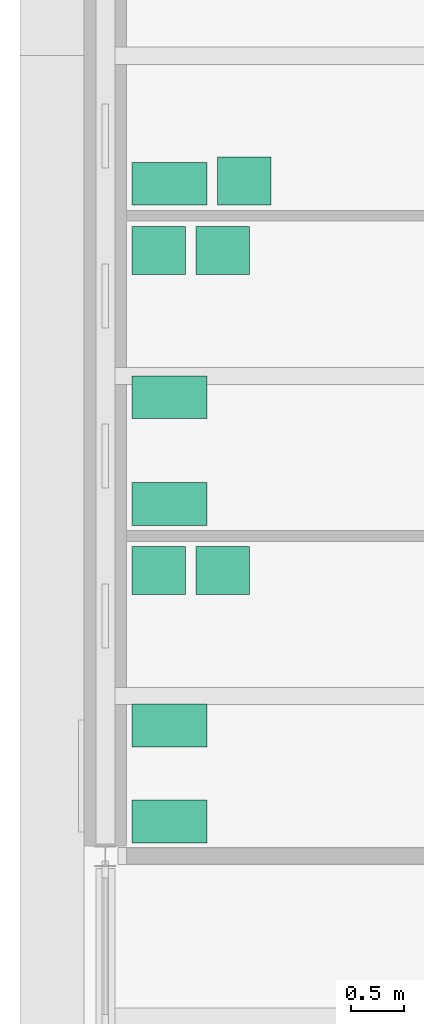
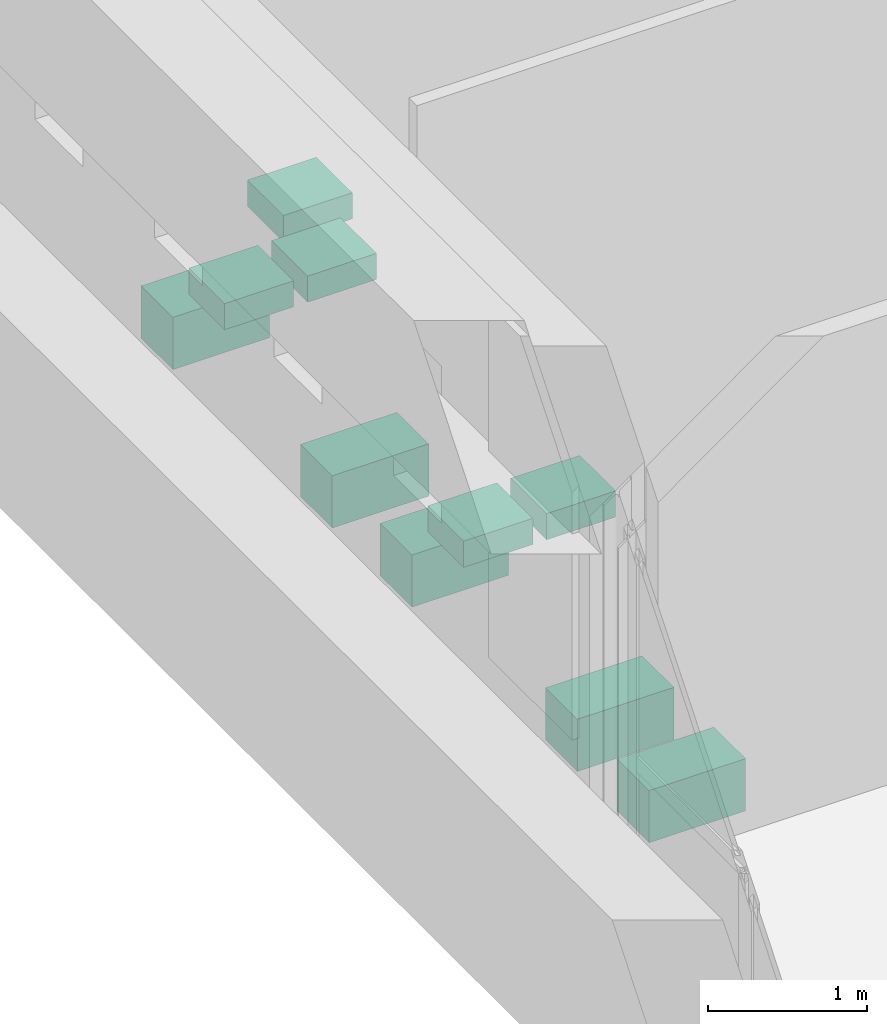
# One storey, part 42 of 42: 10 sanitary terminals.
"""IFC4 building model written with IfcOpenShell, lengths in metres."""

from ifc_helpers import new_model, si_unit, direction, frame, origin, origin_2d, place, context, subcontext, project, spatial, rectangle, extrude, material, type_object, element, save


model = new_model("IFC4")

# Units and contexts
model_context = context("Model", 3, precision=1e-05, world=origin(), true_north=direction((0.0, 1.0)))
body_context = subcontext(model_context, "Body", "Model", "MODEL_VIEW")
ifc_project = project(units=[si_unit("LENGTHUNIT", "METRE"), si_unit("AREAUNIT", "SQUARE_METRE"), si_unit("VOLUMEUNIT", "CUBIC_METRE"), si_unit("PLANEANGLEUNIT", "RADIAN"), si_unit("MASSUNIT", "GRAM", prefix="KILO")], contexts=[model_context])

# Site, building, storey
site_placement = place(None, origin())
site = spatial("IfcSite", under=ifc_project, at=site_placement, CompositionType="ELEMENT")
building_placement = place(site_placement, origin())
building = spatial("IfcBuilding", under=site, at=building_placement, Name="Golden Quay Civic Hall", CompositionType="ELEMENT")
storey_placement = place(building_placement, frame((0.0, 0.0, 22.800048828125)))
storey = spatial("IfcBuildingStorey", under=building, at=storey_placement, Name="L05", CompositionType="ELEMENT", Elevation=22.800048828125)

# Sanitary terminals
ifc_material_1 = material(Name="Ceramic")
sanitary_terminal_type_1 = type_object("IfcSanitaryTerminalType", Name="Toilet pan", PredefinedType="TOILETPAN", material=ifc_material_1)
for number, where, z_axis, x_axis, name in (
    (1, (0.60009765625, 0.324951171875, 0.0), (0.0, 0.0, 1.0), (0.0, 1.0, 0.0), "Toilet pan"),
    (2, (0.60009765625, 1.22509765625, 0.0), (0.0, 0.0, 1.0), (0.0, 1.0, 0.0), "Toilet pan"),
    (3, (0.60009765625, 3.300048828125, 0.0), (0.0, 0.0, 1.0), (0.0, 1.0, 0.0), "Toilet pan"),
    (4, (0.60009765625, 4.300048828125, 0.0), (0.0, 0.0, 1.0), (0.0, 1.0, 0.0), "Toilet pan"),
    (5, (0.60009765625, 6.300048828125, 0.0), (0.0, 0.0, 1.0), (0.0, 1.0, 0.0), "Toilet pan"),
):
    element("IfcSanitaryTerminal", number, at=place(storey_placement, frame(where, z_axis=z_axis, x_axis=x_axis)), inside=storey, type_object=sanitary_terminal_type_1, Name=name, PredefinedType="TOILETPAN", context=body_context, shape_type="SweptSolid", body=[
        extrude(rectangle(XDim=0.39990234375, YDim=0.699951171875, at=origin_2d()), origin(), (0.0, 0.0, 1.0), 0.39990234375),
    ])
ifc_material_2 = material(Name="Ceramic")
sanitary_terminal_type_2 = type_object("IfcSanitaryTerminalType", Name="Wash basin", PredefinedType="WASHHANDBASIN", material=ifc_material_2)
for number, where, z_axis, x_axis, name in (
    (6, (0.5, 2.675048828125, 0.7001953125), (0.0, 0.0, 1.0), (1.0, 0.0, 0.0), "Wash basin"),
    (7, (1.10009765625, 2.675048828125, 0.7001953125), (0.0, 0.0, 1.0), (1.0, 0.0, 0.0), "Wash basin"),
    (8, (0.5, 5.675048828125, 0.7001953125), (0.0, 0.0, 1.0), (1.0, 0.0, 0.0), "Wash basin"),
    (9, (1.10009765625, 5.675048828125, 0.7001953125), (0.0, 0.0, 1.0), (1.0, 0.0, 0.0), "Wash basin"),
    (10, (1.300048828125, 6.324951171875, 0.7001953125), (0.0, 0.0, 1.0), (1.0, 0.0, 0.0), "Wash basin"),
):
    element("IfcSanitaryTerminal", number, at=place(storey_placement, frame(where, z_axis=z_axis, x_axis=x_axis)), inside=storey, type_object=sanitary_terminal_type_2, Name=name, PredefinedType="WASHHANDBASIN", context=body_context, shape_type="SweptSolid", body=[
        extrude(rectangle(XDim=0.5, YDim=0.449951171875, at=origin_2d()), origin(), (0.0, 0.0, 1.0), 0.199951171875),
    ])

save(model, "model.ifc")
